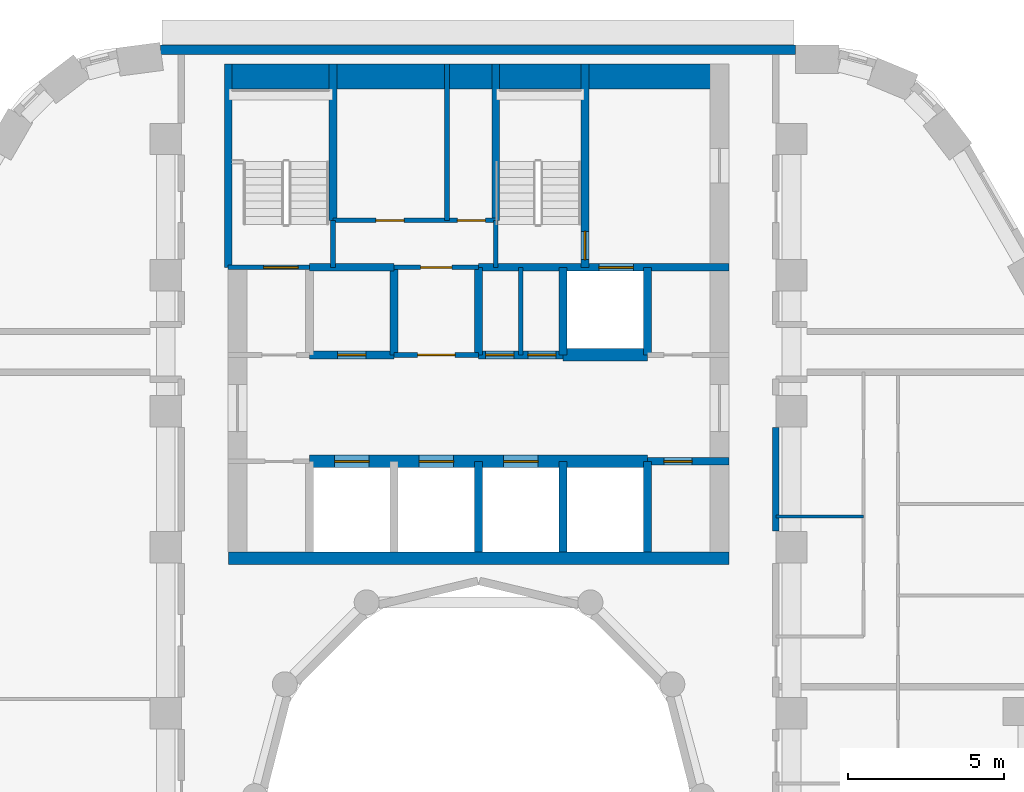
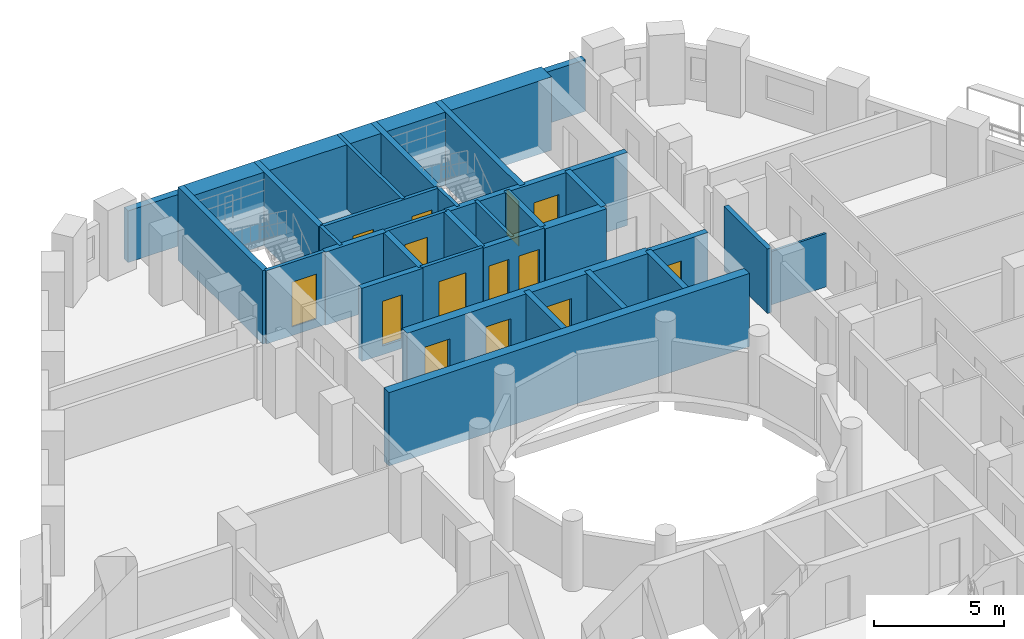
# One storey, part 7 of 13: 31 walls, 14 doors, 14 openings.
"""IFC4 building model written with IfcOpenShell, lengths in metres."""

from ifc_helpers import new_model, si_unit, direction, frame, frame_2d, origin, place, context, subcontext, project, spatial, rectangle, extrude, material, layer, layer_set, type_object, element, fill, save


model = new_model("IFC4")

# Units and contexts
model_context = context("Model", 3, precision=1e-05, world=origin(), true_north=direction((0.0, 1.0)))
body_context = subcontext(model_context, "Body", "Model", "MODEL_VIEW")
ifc_project = project(units=[si_unit("LENGTHUNIT", "METRE"), si_unit("AREAUNIT", "SQUARE_METRE"), si_unit("VOLUMEUNIT", "CUBIC_METRE"), si_unit("PLANEANGLEUNIT", "RADIAN"), si_unit("MASSUNIT", "GRAM", prefix="KILO")], contexts=[model_context])

# Site, building, storey
site_placement = place(None, origin())
site = spatial("IfcSite", under=ifc_project, at=site_placement, CompositionType="ELEMENT")
building_placement = place(site_placement, origin())
building = spatial("IfcBuilding", under=site, at=building_placement, Name="Nakaniwa Court", CompositionType="ELEMENT")
storey_placement = place(building_placement, frame((0.0, 0.0, 77.699951171875)))
storey = spatial("IfcBuildingStorey", under=building, at=storey_placement, Name="L19", CompositionType="ELEMENT", Elevation=77.699951171875)

# Walls
ifc_material_1 = material(Name="Acoustic double stud partition")
ifc_layer_1 = layer(ifc_material_1, 0.199951171875)
ifc_layer_set_1 = layer_set([ifc_layer_1], Name="Acoustic double stud partition")
wall_type_1 = type_object("IfcWallType", Name="Acoustic double stud partition 200", PredefinedType="PARTITIONING", material=ifc_layer_set_1)
wall_1_placement = place(storey_placement, frame((89.5, 88.467041015625, 0.0), z_axis=(0.0, 0.0, 1.0), x_axis=(0.0, 1.0, 0.0)))
element("IfcWall", 1, at=wall_1_placement, inside=storey, type_object=wall_type_1, Name="Partition PW-076", PredefinedType="PARTITIONING", context=body_context, shape_type="SweptSolid", body=[
    extrude(rectangle(XDim=3.31591796875, YDim=0.199951171875, at=frame_2d((1.657958984375, 0.0))), origin(), (0.0, 0.0, 1.0), 3.025146484375),
])
ifc_material_2 = material(Name="Charcoal ceramic cladding")
ifc_layer_2 = layer(ifc_material_2, 0.02, Name="Ceramic cladding")
ifc_material_3 = material(Name="Ventilated air cavity")
ifc_layer_3 = layer(ifc_material_3, 0.04, ventilated=True, Name="Ventilated cavity")
ifc_material_4 = material(Name="Mineral wool insulation")
ifc_layer_4 = layer(ifc_material_4, 0.1, Name="Insulation")
ifc_material_5 = material(Name="Cement bonded sheathing board")
ifc_layer_5 = layer(ifc_material_5, 0.012, Name="Sheathing")
ifc_material_6 = material(Name="Cold-formed galvanised stud frame with mineral wool infill")
ifc_layer_6 = layer(ifc_material_6, 0.1, Name="Stud frame")
ifc_material_7 = material(Name="Fire-rated gypsum plasterboard lining")
ifc_layer_7 = layer(ifc_material_7, 0.028, Name="Lining")
ifc_layer_set_2 = layer_set([ifc_layer_2, ifc_layer_3, ifc_layer_4, ifc_layer_5, ifc_layer_6, ifc_layer_7], Name="Charcoal ceramic faced external wall system")
wall_type_2 = type_object("IfcWallType", Name="Black ceramic faced external wall 300", PredefinedType="SOLIDWALL", material=ifc_layer_set_2)
wall_2_placement = place(storey_placement, frame((90.128662109375, 103.85009765625, 0.0), z_axis=(0.0, 0.0, 1.0), x_axis=(-1.0, 0.0, 0.0)))
element("IfcWall", 2, at=wall_2_placement, inside=storey, type_object=wall_type_2, Name="L19 external wall 08", PredefinedType="SOLIDWALL", context=body_context, shape_type="SweptSolid", body=[
    extrude(rectangle(XDim=20.290771484375, YDim=0.300048828125, at=frame_2d((10.1455078125, 0.0))), origin(), (0.0, 0.0, 1.0), 2.425048828125),
])

# Wall, opening, door
ifc_material_8 = material(Name="Blockwork partition", Category="masonry")
ifc_layer_8 = layer(ifc_material_8, 0.14990234375)
ifc_layer_set_3 = layer_set([ifc_layer_8], Name="Blockwork partition")
wall_type_3 = type_object("IfcWallType", Name="Blockwork partition 150", PredefinedType="PARTITIONING", material=ifc_layer_set_3)
wall_3_placement = place(storey_placement, frame((77.297119140625, 94.10009765625, 0.0), z_axis=(0.0, 0.0, 1.0), x_axis=(1.0, 0.0, 0.0)))
wall_3 = element("IfcWall", 3, at=wall_3_placement, inside=storey, type_object=wall_type_3, Name="Partition PW-017", PredefinedType="PARTITIONING", context=body_context, shape_type="SweptSolid", body=[
    extrude(rectangle(XDim=2.705810546875, YDim=0.14990234375, at=frame_2d((1.35302734375, 0.0))), origin(), (0.0, 0.0, 1.0), 3.025146484375),
])
opening_1_placement = place(wall_3_placement, frame((0.7529296875, 0.0, 0.0)))
opening_1 = element("IfcOpeningElement", 4, at=opening_1_placement, cuts=wall_3, Name="Opening D-06-01", PredefinedType="OPENING", context=body_context, shape_type="SweptSolid", body=[
    extrude(rectangle(XDim=1.199951171875, YDim=2.10009765625, at=frame_2d((0.60009765625, 1.050048828125))), frame((0.0, 0.0849609375, 0.0), z_axis=(0.0, -1.0, 0.0), x_axis=(1.0, 0.0, 0.0)), (0.0, 0.0, 1.0), 0.169921875),
])
ifc_material_9 = material(Name="Fire rated steel double door set", Category="steel")
door_type_1 = type_object("IfcDoorType", Name="Service passage double door 1200", OperationType="NOTDEFINED", PredefinedType="DOOR", material=ifc_material_9)
door_1_placement = place(opening_1_placement, origin())
door_1 = element("IfcDoor", 5, at=door_1_placement, inside=storey, type_object=door_type_1, Name="Door D-06-01 L19-005", OperationType="DOUBLE_DOOR_SINGLE_SWING", OverallHeight=2.10009765625, OverallWidth=1.199951171875, PredefinedType="DOOR", context=body_context, shape_type="SweptSolid", body=[
    extrude(rectangle(XDim=1.199951171875, YDim=2.10009765625, at=frame_2d((0.60009765625, 1.050048828125))), frame((0.0, 0.02490234375, 0.0), z_axis=(0.0, -1.0, 0.0), x_axis=(1.0, 0.0, 0.0)), (0.0, 0.0, 1.0), 0.050048828125),
])
fill(opening_1, door_1)

wall_4_placement = place(storey_placement, frame((77.300048828125, 96.89990234375, 0.0), z_axis=(0.0, 0.0, 1.0), x_axis=(1.0, 0.0, 0.0)))
wall_4 = element("IfcWall", 6, at=wall_4_placement, inside=storey, type_object=wall_type_3, Name="Partition PW-025", PredefinedType="PARTITIONING", context=body_context, shape_type="SweptSolid", body=[
    extrude(rectangle(XDim=2.699951171875, YDim=0.14990234375, at=frame_2d((1.35009765625, 0.0))), origin(), (0.0, 0.0, 1.0), 3.025146484375),
])
opening_2_placement = place(wall_4_placement, frame((0.85009765625, 0.0, 0.0)))
opening_2 = element("IfcOpeningElement", 7, at=opening_2_placement, cuts=wall_4, Name="Opening D-23-01", PredefinedType="OPENING", context=body_context, shape_type="SweptSolid", body=[
    extrude(rectangle(XDim=1.0, YDim=2.10009765625, at=frame_2d((0.5, 1.050048828125))), frame((0.0, 0.0849609375, 0.0), z_axis=(0.0, -1.0, 0.0), x_axis=(1.0, 0.0, 0.0)), (0.0, 0.0, 1.0), 0.169921875),
])
ifc_material_10 = material(Name="Fire rated steel door set", Category="steel")
door_type_2 = type_object("IfcDoorType", Name="Service room door 1000", OperationType="NOTDEFINED", PredefinedType="DOOR", material=ifc_material_10)
door_2_placement = place(opening_2_placement, origin())
door_2 = element("IfcDoor", 8, at=door_2_placement, inside=storey, type_object=door_type_2, Name="Door D-23-01 L19-009", OperationType="SINGLE_SWING_RIGHT", OverallHeight=2.10009765625, OverallWidth=1.0, PredefinedType="DOOR", context=body_context, shape_type="SweptSolid", body=[
    extrude(rectangle(XDim=1.0, YDim=2.10009765625, at=frame_2d((0.5, 1.050048828125))), frame((0.0, 0.02490234375, 0.0), z_axis=(0.0, -1.0, 0.0), x_axis=(1.0, 0.0, 0.0)), (0.0, 0.0, 1.0), 0.050048828125),
])
fill(opening_2, door_2)

# Wall
wall_5_placement = place(storey_placement, frame((81.35009765625, 94.10009765625, 0.0), z_axis=(0.0, 0.0, 1.0), x_axis=(0.0, 1.0, 0.0)))
element("IfcWall", 9, at=wall_5_placement, inside=storey, type_object=wall_type_3, Name="Partition PW-026", PredefinedType="PARTITIONING", context=body_context, shape_type="SweptSolid", body=[
    extrude(rectangle(XDim=2.7998046875, YDim=0.14990234375, at=frame_2d((1.39990234375, 0.0))), origin(), (0.0, 0.0, 1.0), 3.025146484375),
])

# Wall, openings, doors
wall_6_placement = place(storey_placement, frame((75.35009765625, 98.39990234375, 0.0), z_axis=(0.0, 0.0, 1.0), x_axis=(1.0, 0.0, 0.0)))
wall_6 = element("IfcWall", 10, at=wall_6_placement, inside=storey, type_object=wall_type_3, Name="Partition PW-033", PredefinedType="PARTITIONING", context=body_context, shape_type="SweptSolid", body=[
    extrude(rectangle(XDim=5.199951171875, YDim=0.14990234375, at=frame_2d((2.60009765625, 0.0))), origin(), (0.0, 0.0, 1.0), 3.025146484375),
])
opening_3_placement = place(wall_6_placement, frame((1.3701171875, 0.0, 0.0)))
opening_3 = element("IfcOpeningElement", 11, at=opening_3_placement, cuts=wall_6, Name="Opening D-05-07", PredefinedType="OPENING", context=body_context, shape_type="SweptSolid", body=[
    extrude(rectangle(XDim=0.89990234375, YDim=2.10009765625, at=frame_2d((0.449951171875, 1.050048828125))), frame((0.0, 0.0849609375, 0.0), z_axis=(0.0, -1.0, 0.0), x_axis=(1.0, 0.0, 0.0)), (0.0, 0.0, 1.0), 0.169921875),
])
opening_4_placement = place(wall_6_placement, frame((3.969970703125, 0.0, 0.0)))
opening_4 = element("IfcOpeningElement", 12, at=opening_4_placement, cuts=wall_6, Name="Opening D-05-08", PredefinedType="OPENING", context=body_context, shape_type="SweptSolid", body=[
    extrude(rectangle(XDim=0.89990234375, YDim=2.10009765625, at=frame_2d((0.449951171875, 1.050048828125))), frame((0.0, 0.0849609375, 0.0), z_axis=(0.0, -1.0, 0.0), x_axis=(1.0, 0.0, 0.0)), (0.0, 0.0, 1.0), 0.169921875),
])
door_type_3 = type_object("IfcDoorType", Name="Service room door 900", OperationType="NOTDEFINED", PredefinedType="DOOR", material=ifc_material_10)
door_3_placement = place(opening_3_placement, origin())
door_3 = element("IfcDoor", 13, at=door_3_placement, inside=storey, type_object=door_type_3, Name="Door D-05-07 L19-010", OperationType="SINGLE_SWING_LEFT", OverallHeight=2.10009765625, OverallWidth=0.89990234375, PredefinedType="DOOR", context=body_context, shape_type="SweptSolid", body=[
    extrude(rectangle(XDim=0.89990234375, YDim=2.10009765625, at=frame_2d((0.449951171875, 1.050048828125))), frame((0.0, 0.02490234375, 0.0), z_axis=(0.0, -1.0, 0.0), x_axis=(1.0, 0.0, 0.0)), (0.0, 0.0, 1.0), 0.050048828125),
])
fill(opening_3, door_3)
door_4_placement = place(opening_4_placement, origin())
door_4 = element("IfcDoor", 14, at=door_4_placement, inside=storey, type_object=door_type_3, Name="Door D-05-08 L19-011", OperationType="SINGLE_SWING_RIGHT", OverallHeight=2.10009765625, OverallWidth=0.89990234375, PredefinedType="DOOR", context=body_context, shape_type="SweptSolid", body=[
    extrude(rectangle(XDim=0.89990234375, YDim=2.10009765625, at=frame_2d((0.449951171875, 1.050048828125))), frame((0.0, 0.02490234375, 0.0), z_axis=(0.0, -1.0, 0.0), x_axis=(1.0, 0.0, 0.0)), (0.0, 0.0, 1.0), 0.050048828125),
])
fill(opening_4, door_4)

# Wall
wall_7_placement = place(storey_placement, frame((78.989990234375, 98.39990234375, 0.0), z_axis=(0.0, 0.0, 1.0), x_axis=(0.0, 1.0, 0.0)))
element("IfcWall", 15, at=wall_7_placement, inside=storey, type_object=wall_type_3, Name="Partition PW-034", PredefinedType="PARTITIONING", context=body_context, shape_type="SweptSolid", body=[
    extrude(rectangle(XDim=5.0, YDim=0.14990234375, at=frame_2d((2.5, 0.0))), origin(), (0.0, 0.0, 1.0), 3.025146484375),
])

# Wall, openings, doors
ifc_material_11 = material(Name="Concrete C80/100", Category="concrete")
ifc_layer_9 = layer(ifc_material_11, 0.39990234375)
ifc_layer_set_4 = layer_set([ifc_layer_9], Name="Concrete C80/100")
wall_type_4 = type_object("IfcWallType", Name="Concrete core spine wall 400 C80", PredefinedType="SHEAR", material=ifc_layer_set_4)
wall_8_placement = place(storey_placement, frame((74.60009765625, 90.699951171875, -0.409912109375), z_axis=(0.0, 0.0, 1.0), x_axis=(1.0, 0.0, 0.0)))
wall_8 = element("IfcWall", 16, at=wall_8_placement, inside=storey, type_object=wall_type_4, Name="Core wall SW-07", PredefinedType="SHEAR", context=body_context, shape_type="SweptSolid", body=[
    extrude(rectangle(XDim=10.7998046875, YDim=0.39990234375, at=frame_2d((5.39990234375, 0.0))), origin(), (0.0, 0.0, 1.0), 3.43505859375),
])
opening_5_placement = place(wall_8_placement, frame((0.800048828125, 0.0, 0.409912109375)))
opening_5 = element("IfcOpeningElement", 17, at=opening_5_placement, cuts=wall_8, Name="Opening LD01", PredefinedType="OPENING", context=body_context, shape_type="SweptSolid", body=[
    extrude(rectangle(XDim=1.10009765625, YDim=2.10009765625, at=frame_2d((0.550048828125, 1.050048828125))), frame((0.0, 0.2099609375, 0.0), z_axis=(0.0, -1.0, 0.0), x_axis=(1.0, 0.0, 0.0)), (0.0, 0.0, 1.0), 0.419921875),
])
opening_6_placement = place(wall_8_placement, frame((3.5, 0.0, 0.409912109375)))
opening_6 = element("IfcOpeningElement", 18, at=opening_6_placement, cuts=wall_8, Name="Opening LD02", PredefinedType="OPENING", context=body_context, shape_type="SweptSolid", body=[
    extrude(rectangle(XDim=1.10009765625, YDim=2.10009765625, at=frame_2d((0.550048828125, 1.050048828125))), frame((0.0, 0.2099609375, 0.0), z_axis=(0.0, -1.0, 0.0), x_axis=(1.0, 0.0, 0.0)), (0.0, 0.0, 1.0), 0.419921875),
])
opening_7_placement = place(wall_8_placement, frame((6.199951171875, 0.0, 0.409912109375)))
opening_7 = element("IfcOpeningElement", 19, at=opening_7_placement, cuts=wall_8, Name="Opening LD03", PredefinedType="OPENING", context=body_context, shape_type="SweptSolid", body=[
    extrude(rectangle(XDim=1.10009765625, YDim=2.10009765625, at=frame_2d((0.550048828125, 1.050048828125))), frame((0.0, 0.2099609375, 0.0), z_axis=(0.0, -1.0, 0.0), x_axis=(1.0, 0.0, 0.0)), (0.0, 0.0, 1.0), 0.419921875),
])
ifc_material_12 = material(Name="Stainless steel sliding lift landing door", Category="steel")
door_type_4 = type_object("IfcDoorType", Name="Lift landing door 1100", OperationType="NOTDEFINED", PredefinedType="DOOR", material=ifc_material_12)
door_5_placement = place(opening_5_placement, origin())
door_5 = element("IfcDoor", 20, at=door_5_placement, inside=storey, type_object=door_type_4, Name="Lift landing door LD01 L19-001", OperationType="SLIDING_TO_LEFT", OverallHeight=2.10009765625, OverallWidth=1.10009765625, PredefinedType="DOOR", context=body_context, shape_type="SweptSolid", body=[
    extrude(rectangle(XDim=1.10009765625, YDim=2.10009765625, at=frame_2d((0.550048828125, 1.050048828125))), frame((0.0, 0.02490234375, 0.0), z_axis=(0.0, -1.0, 0.0), x_axis=(1.0, 0.0, 0.0)), (0.0, 0.0, 1.0), 0.050048828125),
])
fill(opening_5, door_5)
door_6_placement = place(opening_6_placement, origin())
door_6 = element("IfcDoor", 21, at=door_6_placement, inside=storey, type_object=door_type_4, Name="Lift landing door LD02 L19-002", OperationType="SLIDING_TO_LEFT", OverallHeight=2.10009765625, OverallWidth=1.10009765625, PredefinedType="DOOR", context=body_context, shape_type="SweptSolid", body=[
    extrude(rectangle(XDim=1.10009765625, YDim=2.10009765625, at=frame_2d((0.550048828125, 1.050048828125))), frame((0.0, 0.02490234375, 0.0), z_axis=(0.0, -1.0, 0.0), x_axis=(1.0, 0.0, 0.0)), (0.0, 0.0, 1.0), 0.050048828125),
])
fill(opening_6, door_6)
door_7_placement = place(opening_7_placement, origin())
door_7 = element("IfcDoor", 22, at=door_7_placement, inside=storey, type_object=door_type_4, Name="Lift landing door LD03 L19-003", OperationType="SLIDING_TO_LEFT", OverallHeight=2.10009765625, OverallWidth=1.10009765625, PredefinedType="DOOR", context=body_context, shape_type="SweptSolid", body=[
    extrude(rectangle(XDim=1.10009765625, YDim=2.10009765625, at=frame_2d((0.550048828125, 1.050048828125))), frame((0.0, 0.02490234375, 0.0), z_axis=(0.0, -1.0, 0.0), x_axis=(1.0, 0.0, 0.0)), (0.0, 0.0, 1.0), 0.050048828125),
])
fill(opening_7, door_7)

# Wall
wall_9_placement = place(storey_placement, frame((82.697021484375, 94.10009765625, -0.409912109375), z_axis=(0.0, 0.0, 1.0), x_axis=(1.0, 0.0, 0.0)))
element("IfcWall", 23, at=wall_9_placement, inside=storey, type_object=wall_type_4, Name="Core wall SW-21", PredefinedType="SHEAR", context=body_context, shape_type="SweptSolid", body=[
    extrude(rectangle(XDim=2.7060546875, YDim=0.39990234375, at=frame_2d((1.35302734375, 0.0))), origin(), (0.0, 0.0, 1.0), 3.43505859375),
])

# Wall, opening, door
ifc_layer_10 = layer(ifc_material_11, 0.14990234375)
ifc_layer_set_5 = layer_set([ifc_layer_10], Name="Concrete C80/100")
wall_type_5 = type_object("IfcWallType", Name="Concrete core wall 150 C80", PredefinedType="SHEAR", material=ifc_layer_set_5)
wall_10_placement = place(storey_placement, frame((74.60009765625, 96.89990234375, -0.409912109375), z_axis=(0.0, 0.0, 1.0), x_axis=(-1.0, 0.0, 0.0)))
wall_10 = element("IfcWall", 24, at=wall_10_placement, inside=storey, type_object=wall_type_5, Name="Core wall SW-22", PredefinedType="SHEAR", context=body_context, shape_type="SweptSolid", body=[
    extrude(rectangle(XDim=2.60009765625, YDim=0.14990234375, at=frame_2d((1.300048828125, 0.0))), origin(), (0.0, 0.0, 1.0), 3.43505859375),
])
opening_8_placement = place(wall_10_placement, frame((0.3701171875, 0.0, 0.409912109375)))
opening_8 = element("IfcOpeningElement", 25, at=opening_8_placement, cuts=wall_10, Name="Opening D-09-01", PredefinedType="OPENING", context=body_context, shape_type="SweptSolid", body=[
    extrude(rectangle(XDim=1.10009765625, YDim=2.10009765625, at=frame_2d((0.550048828125, 1.050048828125))), frame((0.0, 0.0849609375, 0.0), z_axis=(0.0, -1.0, 0.0), x_axis=(1.0, 0.0, 0.0)), (0.0, 0.0, 1.0), 0.169921875),
])
door_type_5 = type_object("IfcDoorType", Name="Stair door 1100", OperationType="NOTDEFINED", PredefinedType="DOOR", material=ifc_material_10)
door_8_placement = place(opening_8_placement, origin())
door_8 = element("IfcDoor", 26, at=door_8_placement, inside=storey, type_object=door_type_5, Name="Door D-09-01 L19-012", OperationType="SINGLE_SWING_RIGHT", OverallHeight=2.10009765625, OverallWidth=1.10009765625, PredefinedType="DOOR", context=body_context, shape_type="SweptSolid", body=[
    extrude(rectangle(XDim=1.10009765625, YDim=2.10009765625, at=frame_2d((0.550048828125, 1.050048828125))), frame((0.0, 0.02490234375, 0.0), z_axis=(0.0, -1.0, 0.0), x_axis=(1.0, 0.0, 0.0)), (0.0, 0.0, 1.0), 0.050048828125),
])
fill(opening_8, door_8)

# Walls
for number, where, z_axis, x_axis, name in (
    (27, (75.35009765625, 96.89990234375, -0.409912109375), (0.0, 0.0, 1.0), (0.0, 1.0, 0.0), "Core wall SW-27"),
    (28, (80.550048828125, 96.89990234375, -0.409912109375), (0.0, 0.0, 1.0), (0.0, 1.0, 0.0), "Core wall SW-31"),
):
    element("IfcWall", number, at=place(storey_placement, frame(where, z_axis=z_axis, x_axis=x_axis)), inside=storey, type_object=wall_type_5, Name=name, PredefinedType="SHEAR", context=body_context, shape_type="SweptSolid", body=[
        extrude(rectangle(XDim=1.503173828125, YDim=0.14990234375, at=frame_2d((0.75146484375, 0.0))), origin(), (0.0, 0.0, 1.0), 3.43505859375),
    ])
ifc_layer_11 = layer(ifc_material_11, 0.25)
ifc_layer_set_6 = layer_set([ifc_layer_11], Name="Concrete C80/100")
wall_type_6 = type_object("IfcWallType", Name="Concrete core wall 250 C80", PredefinedType="SHEAR", material=ifc_layer_set_6)
wall_11_placement = place(storey_placement, frame((72.0, 96.89990234375, -0.409912109375), z_axis=(0.0, 0.0, 1.0), x_axis=(0.0, 1.0, 0.0)))
element("IfcWall", 29, at=wall_11_placement, inside=storey, type_object=wall_type_6, Name="Core wall SW-29", PredefinedType="SHEAR", context=body_context, shape_type="SweptSolid", body=[
    extrude(rectangle(XDim=6.5, YDim=0.25, at=frame_2d((3.25, 0.0))), origin(), (0.0, 0.0, 1.0), 3.43505859375),
])
ifc_layer_12 = layer(ifc_material_11, 0.800048828125)
ifc_layer_set_7 = layer_set([ifc_layer_12], Name="Concrete C80/100")
wall_type_7 = type_object("IfcWallType", Name="Concrete core wall 800 C80", PredefinedType="SHEAR", material=ifc_layer_set_7)
wall_12_placement = place(storey_placement, frame((72.00390625, 103.0, -0.409912109375), z_axis=(0.0, 0.0, 1.0), x_axis=(1.0, 0.0, 0.0)))
element("IfcWall", 30, at=wall_12_placement, inside=storey, type_object=wall_type_7, Name="Core wall SW-123", PredefinedType="SHEAR", context=body_context, shape_type="SweptSolid", body=[
    extrude(rectangle(XDim=15.9921875, YDim=0.800048828125, at=frame_2d((7.99609375, 0.0))), origin(), (0.0, 0.0, 1.0), 3.43505859375),
])
ifc_layer_13 = layer(ifc_material_11, 0.39990234375)
ifc_layer_set_8 = layer_set([ifc_layer_13], Name="Concrete C80/100")
wall_type_8 = type_object("IfcWallType", Name="Concrete core well wall 400 C80", PredefinedType="SHEAR", material=ifc_layer_set_8)
wall_13_placement = place(storey_placement, frame((72.00390625, 87.60009765625, -0.409912109375), z_axis=(0.0, 0.0, 1.0), x_axis=(1.0, 0.0, 0.0)))
element("IfcWall", 31, at=wall_13_placement, inside=storey, type_object=wall_type_8, Name="Core wall SW-122", PredefinedType="SHEAR", context=body_context, shape_type="SweptSolid", body=[
    extrude(rectangle(XDim=15.9921875, YDim=0.39990234375, at=frame_2d((7.99609375, 0.0))), origin(), (0.0, 0.0, 1.0), 3.43505859375),
])
ifc_layer_14 = layer(ifc_material_11, 0.25)
ifc_layer_set_9 = layer_set([ifc_layer_14], Name="Concrete C80/100")
wall_type_9 = type_object("IfcWallType", Name="Concrete shaft wall 250 C80", PredefinedType="SHEAR", material=ifc_layer_set_9)
wall_14_placement = place(storey_placement, frame((77.300048828125, 94.10009765625, -0.409912109375), z_axis=(0.0, 0.0, 1.0), x_axis=(0.0, 1.0, 0.0)))
element("IfcWall", 32, at=wall_14_placement, inside=storey, type_object=wall_type_9, Name="Core wall SW-06", PredefinedType="SHEAR", context=body_context, shape_type="SweptSolid", body=[
    extrude(rectangle(XDim=2.7998046875, YDim=0.25, at=frame_2d((1.39990234375, 0.0))), origin(), (0.0, 0.0, 1.0), 3.43505859375),
])
wall_15_placement = place(storey_placement, frame((80.0, 87.800048828125, -0.409912109375), z_axis=(0.0, 0.0, 1.0), x_axis=(0.0, 1.0, 0.0)))
element("IfcWall", 33, at=wall_15_placement, inside=storey, type_object=wall_type_9, Name="Core wall SW-08", PredefinedType="SHEAR", context=body_context, shape_type="SweptSolid", body=[
    extrude(rectangle(XDim=2.89990234375, YDim=0.25, at=frame_2d((1.449951171875, 0.0))), origin(), (0.0, 0.0, 1.0), 3.43505859375),
])
wall_16_placement = place(storey_placement, frame((80.0, 94.10009765625, -0.409912109375), z_axis=(0.0, 0.0, 1.0), x_axis=(0.0, 1.0, 0.0)))
element("IfcWall", 34, at=wall_16_placement, inside=storey, type_object=wall_type_9, Name="Core wall SW-09", PredefinedType="SHEAR", context=body_context, shape_type="SweptSolid", body=[
    extrude(rectangle(XDim=2.7998046875, YDim=0.25, at=frame_2d((1.39990234375, 0.0))), origin(), (0.0, 0.0, 1.0), 3.43505859375),
])
wall_17_placement = place(storey_placement, frame((82.699951171875, 87.800048828125, -0.409912109375), z_axis=(0.0, 0.0, 1.0), x_axis=(0.0, 1.0, 0.0)))
element("IfcWall", 35, at=wall_17_placement, inside=storey, type_object=wall_type_9, Name="Core wall SW-10", PredefinedType="SHEAR", context=body_context, shape_type="SweptSolid", body=[
    extrude(rectangle(XDim=2.89990234375, YDim=0.25, at=frame_2d((1.449951171875, 0.0))), origin(), (0.0, 0.0, 1.0), 3.43505859375),
])
wall_18_placement = place(storey_placement, frame((82.699951171875, 94.10009765625, -0.409912109375), z_axis=(0.0, 0.0, 1.0), x_axis=(0.0, 1.0, 0.0)))
element("IfcWall", 36, at=wall_18_placement, inside=storey, type_object=wall_type_9, Name="Core wall SW-11", PredefinedType="SHEAR", context=body_context, shape_type="SweptSolid", body=[
    extrude(rectangle(XDim=2.7998046875, YDim=0.25, at=frame_2d((1.39990234375, 0.0))), origin(), (0.0, 0.0, 1.0), 3.43505859375),
])
wall_19_placement = place(storey_placement, frame((85.39990234375, 87.800048828125, -0.409912109375), z_axis=(0.0, 0.0, 1.0), x_axis=(0.0, 1.0, 0.0)))
element("IfcWall", 37, at=wall_19_placement, inside=storey, type_object=wall_type_9, Name="Core wall SW-12", PredefinedType="SHEAR", context=body_context, shape_type="SweptSolid", body=[
    extrude(rectangle(XDim=2.89990234375, YDim=0.25, at=frame_2d((1.449951171875, 0.0))), origin(), (0.0, 0.0, 1.0), 3.43505859375),
])
wall_20_placement = place(storey_placement, frame((85.39990234375, 94.10009765625, -0.409912109375), z_axis=(0.0, 0.0, 1.0), x_axis=(0.0, 1.0, 0.0)))
element("IfcWall", 38, at=wall_20_placement, inside=storey, type_object=wall_type_9, Name="Core wall SW-13", PredefinedType="SHEAR", context=body_context, shape_type="SweptSolid", body=[
    extrude(rectangle(XDim=2.7998046875, YDim=0.25, at=frame_2d((1.39990234375, 0.0))), origin(), (0.0, 0.0, 1.0), 3.43505859375),
])

# Wall, opening, door
wall_21_placement = place(storey_placement, frame((88.0, 90.699951171875, -0.409912109375), z_axis=(0.0, 0.0, 1.0), x_axis=(-1.0, 0.0, 0.0)))
wall_21 = element("IfcWall", 39, at=wall_21_placement, inside=storey, type_object=wall_type_9, Name="Core wall SW-14", PredefinedType="SHEAR", context=body_context, shape_type="SweptSolid", body=[
    extrude(rectangle(XDim=2.60009765625, YDim=0.25, at=frame_2d((1.300048828125, 0.0))), origin(), (0.0, 0.0, 1.0), 3.43505859375),
])
opening_9_placement = place(wall_21_placement, frame((1.175048828125, 0.0, 0.409912109375)))
opening_9 = element("IfcOpeningElement", 40, at=opening_9_placement, cuts=wall_21, Name="Opening D-05-02", PredefinedType="OPENING", context=body_context, shape_type="SweptSolid", body=[
    extrude(rectangle(XDim=0.89990234375, YDim=2.10009765625, at=frame_2d((0.449951171875, 1.050048828125))), frame((0.0, 0.135009765625, 0.0), z_axis=(0.0, -1.0, 0.0), x_axis=(1.0, 0.0, 0.0)), (0.0, 0.0, 1.0), 0.27001953125),
])
door_9_placement = place(opening_9_placement, origin())
door_9 = element("IfcDoor", 41, at=door_9_placement, inside=storey, type_object=door_type_3, Name="Door D-05-02 L19-002", OperationType="SINGLE_SWING_LEFT", OverallHeight=2.10009765625, OverallWidth=0.89990234375, PredefinedType="DOOR", context=body_context, shape_type="SweptSolid", body=[
    extrude(rectangle(XDim=0.89990234375, YDim=2.10009765625, at=frame_2d((0.449951171875, 1.050048828125))), frame((0.0, 0.02490234375, 0.0), z_axis=(0.0, -1.0, 0.0), x_axis=(1.0, 0.0, 0.0)), (0.0, 0.0, 1.0), 0.050048828125),
])
fill(opening_9, door_9)

wall_22_placement = place(storey_placement, frame((74.596923828125, 94.10009765625, -0.409912109375), z_axis=(0.0, 0.0, 1.0), x_axis=(1.0, 0.0, 0.0)))
wall_22 = element("IfcWall", 42, at=wall_22_placement, inside=storey, type_object=wall_type_9, Name="Core wall SW-19", PredefinedType="SHEAR", context=body_context, shape_type="SweptSolid", body=[
    extrude(rectangle(XDim=2.7060546875, YDim=0.25, at=frame_2d((1.35302734375, 0.0))), origin(), (0.0, 0.0, 1.0), 3.43505859375),
])
opening_10_placement = place(wall_22_placement, frame((0.903076171875, 0.0, 0.409912109375)))
opening_10 = element("IfcOpeningElement", 43, at=opening_10_placement, cuts=wall_22, Name="Opening D-05-03", PredefinedType="OPENING", context=body_context, shape_type="SweptSolid", body=[
    extrude(rectangle(XDim=0.89990234375, YDim=2.10009765625, at=frame_2d((0.449951171875, 1.050048828125))), frame((0.0, 0.135009765625, 0.0), z_axis=(0.0, -1.0, 0.0), x_axis=(1.0, 0.0, 0.0)), (0.0, 0.0, 1.0), 0.27001953125),
])
door_10_placement = place(opening_10_placement, origin())
door_10 = element("IfcDoor", 44, at=door_10_placement, inside=storey, type_object=door_type_3, Name="Door D-05-03 L19-004", OperationType="SINGLE_SWING_LEFT", OverallHeight=2.10009765625, OverallWidth=0.89990234375, PredefinedType="DOOR", context=body_context, shape_type="SweptSolid", body=[
    extrude(rectangle(XDim=0.89990234375, YDim=2.10009765625, at=frame_2d((0.449951171875, 1.050048828125))), frame((0.0, 0.02490234375, 0.0), z_axis=(0.0, -1.0, 0.0), x_axis=(1.0, 0.0, 0.0)), (0.0, 0.0, 1.0), 0.050048828125),
])
fill(opening_10, door_10)

# Wall, openings, doors
wall_23_placement = place(storey_placement, frame((79.9970703125, 94.10009765625, -0.409912109375), z_axis=(0.0, 0.0, 1.0), x_axis=(1.0, 0.0, 0.0)))
wall_23 = element("IfcWall", 45, at=wall_23_placement, inside=storey, type_object=wall_type_9, Name="Core wall SW-20", PredefinedType="SHEAR", context=body_context, shape_type="SweptSolid", body=[
    extrude(rectangle(XDim=2.705810546875, YDim=0.25, at=frame_2d((1.35302734375, 0.0))), origin(), (0.0, 0.0, 1.0), 3.43505859375),
])
opening_11_placement = place(wall_23_placement, frame((0.22802734375, 0.0, 0.409912109375)))
opening_11 = element("IfcOpeningElement", 46, at=opening_11_placement, cuts=wall_23, Name="Opening D-05-04", PredefinedType="OPENING", context=body_context, shape_type="SweptSolid", body=[
    extrude(rectangle(XDim=0.89990234375, YDim=2.10009765625, at=frame_2d((0.449951171875, 1.050048828125))), frame((0.0, 0.135009765625, 0.0), z_axis=(0.0, -1.0, 0.0), x_axis=(1.0, 0.0, 0.0)), (0.0, 0.0, 1.0), 0.27001953125),
])
opening_12_placement = place(wall_23_placement, frame((1.577880859375, 0.0, 0.409912109375)))
opening_12 = element("IfcOpeningElement", 47, at=opening_12_placement, cuts=wall_23, Name="Opening D-05-05", PredefinedType="OPENING", context=body_context, shape_type="SweptSolid", body=[
    extrude(rectangle(XDim=0.89990234375, YDim=2.10009765625, at=frame_2d((0.449951171875, 1.050048828125))), frame((0.0, 0.135009765625, 0.0), z_axis=(0.0, -1.0, 0.0), x_axis=(1.0, 0.0, 0.0)), (0.0, 0.0, 1.0), 0.27001953125),
])
door_11_placement = place(opening_11_placement, origin())
door_11 = element("IfcDoor", 48, at=door_11_placement, inside=storey, type_object=door_type_3, Name="Door D-05-04 L19-006", OperationType="SINGLE_SWING_LEFT", OverallHeight=2.10009765625, OverallWidth=0.89990234375, PredefinedType="DOOR", context=body_context, shape_type="SweptSolid", body=[
    extrude(rectangle(XDim=0.89990234375, YDim=2.10009765625, at=frame_2d((0.449951171875, 1.050048828125))), frame((0.0, 0.02490234375, 0.0), z_axis=(0.0, -1.0, 0.0), x_axis=(1.0, 0.0, 0.0)), (0.0, 0.0, 1.0), 0.050048828125),
])
fill(opening_11, door_11)
door_12_placement = place(opening_12_placement, origin())
door_12 = element("IfcDoor", 49, at=door_12_placement, inside=storey, type_object=door_type_3, Name="Door D-05-05 L19-007", OperationType="SINGLE_SWING_RIGHT", OverallHeight=2.10009765625, OverallWidth=0.89990234375, PredefinedType="DOOR", context=body_context, shape_type="SweptSolid", body=[
    extrude(rectangle(XDim=0.89990234375, YDim=2.10009765625, at=frame_2d((0.449951171875, 1.050048828125))), frame((0.0, 0.02490234375, 0.0), z_axis=(0.0, -1.0, 0.0), x_axis=(1.0, 0.0, 0.0)), (0.0, 0.0, 1.0), 0.050048828125),
])
fill(opening_12, door_12)

# Wall
wall_24_placement = place(storey_placement, frame((74.60009765625, 96.89990234375, -0.409912109375), z_axis=(0.0, 0.0, 1.0), x_axis=(1.0, 0.0, 0.0)))
element("IfcWall", 50, at=wall_24_placement, inside=storey, type_object=wall_type_9, Name="Core wall SW-23", PredefinedType="SHEAR", context=body_context, shape_type="SweptSolid", body=[
    extrude(rectangle(XDim=2.699951171875, YDim=0.25, at=frame_2d((1.35009765625, 0.0))), origin(), (0.0, 0.0, 1.0), 3.43505859375),
])

# Wall, opening, door
wall_25_placement = place(storey_placement, frame((80.0, 96.89990234375, -0.409912109375), z_axis=(0.0, 0.0, 1.0), x_axis=(1.0, 0.0, 0.0)))
wall_25 = element("IfcWall", 51, at=wall_25_placement, inside=storey, type_object=wall_type_9, Name="Core wall SW-24", PredefinedType="SHEAR", context=body_context, shape_type="SweptSolid", body=[
    extrude(rectangle(XDim=8.0, YDim=0.25, at=frame_2d((4.0, 0.0))), origin(), (0.0, 0.0, 1.0), 3.43505859375),
])
opening_13_placement = place(wall_25_placement, frame((3.84912109375, 0.0, 0.409912109375)))
opening_13 = element("IfcOpeningElement", 52, at=opening_13_placement, cuts=wall_25, Name="Opening LD04", PredefinedType="OPENING", context=body_context, shape_type="SweptSolid", body=[
    extrude(rectangle(XDim=1.10009765625, YDim=2.10009765625, at=frame_2d((0.550048828125, 1.050048828125))), frame((0.0, 0.135009765625, 0.0), z_axis=(0.0, -1.0, 0.0), x_axis=(1.0, 0.0, 0.0)), (0.0, 0.0, 1.0), 0.27001953125),
])
door_13_placement = place(opening_13_placement, origin())
door_13 = element("IfcDoor", 53, at=door_13_placement, inside=storey, type_object=door_type_4, Name="Lift landing door LD04 L19-004", OperationType="SLIDING_TO_LEFT", OverallHeight=2.10009765625, OverallWidth=1.10009765625, PredefinedType="DOOR", context=body_context, shape_type="SweptSolid", body=[
    extrude(rectangle(XDim=1.10009765625, YDim=2.10009765625, at=frame_2d((0.550048828125, 1.050048828125))), frame((0.0, 0.02490234375, 0.0), z_axis=(0.0, -1.0, 0.0), x_axis=(1.0, 0.0, 0.0)), (0.0, 0.0, 1.0), 0.050048828125),
])
fill(opening_13, door_13)

# Wall
wall_26_placement = place(storey_placement, frame((75.35009765625, 98.39697265625, -0.409912109375), z_axis=(0.0, 0.0, 1.0), x_axis=(0.0, 1.0, 0.0)))
element("IfcWall", 54, at=wall_26_placement, inside=storey, type_object=wall_type_9, Name="Core wall SW-28", PredefinedType="SHEAR", context=body_context, shape_type="SweptSolid", body=[
    extrude(rectangle(XDim=5.0029296875, YDim=0.25, at=frame_2d((2.50146484375, 0.0))), origin(), (0.0, 0.0, 1.0), 3.43505859375),
])

# Wall, opening, door
wall_27_placement = place(storey_placement, frame((83.39990234375, 103.39990234375, -0.409912109375), z_axis=(0.0, 0.0, 1.0), x_axis=(0.0, -1.0, 0.0)))
wall_27 = element("IfcWall", 55, at=wall_27_placement, inside=storey, type_object=wall_type_9, Name="Core wall SW-30", PredefinedType="SHEAR", context=body_context, shape_type="SweptSolid", body=[
    extrude(rectangle(XDim=6.5, YDim=0.25, at=frame_2d((3.25, 0.0))), origin(), (0.0, 0.0, 1.0), 3.43505859375),
])
opening_14_placement = place(wall_27_placement, frame((5.35009765625, 0.0, 0.409912109375)))
opening_14 = element("IfcOpeningElement", 56, at=opening_14_placement, cuts=wall_27, Name="Opening D-11-01", PredefinedType="OPENING", context=body_context, shape_type="SweptSolid", body=[
    extrude(rectangle(XDim=0.89990234375, YDim=2.10009765625, at=frame_2d((0.449951171875, 1.050048828125))), frame((0.0, 0.135009765625, 0.0), z_axis=(0.0, -1.0, 0.0), x_axis=(1.0, 0.0, 0.0)), (0.0, 0.0, 1.0), 0.27001953125),
])
door_type_6 = type_object("IfcDoorType", Name="Stair door 900", OperationType="NOTDEFINED", PredefinedType="DOOR", material=ifc_material_10)
door_14_placement = place(opening_14_placement, origin())
door_14 = element("IfcDoor", 57, at=door_14_placement, inside=storey, type_object=door_type_6, Name="Door D-11-01 L19-013", OperationType="SINGLE_SWING_LEFT", OverallHeight=2.10009765625, OverallWidth=0.89990234375, PredefinedType="DOOR", context=body_context, shape_type="SweptSolid", body=[
    extrude(rectangle(XDim=0.89990234375, YDim=2.10009765625, at=frame_2d((0.449951171875, 1.050048828125))), frame((0.0, 0.02490234375, 0.0), z_axis=(0.0, -1.0, 0.0), x_axis=(1.0, 0.0, 0.0)), (0.0, 0.0, 1.0), 0.050048828125),
])
fill(opening_14, door_14)

# Walls
wall_28_placement = place(storey_placement, frame((80.550048828125, 98.39697265625, -0.409912109375), z_axis=(0.0, 0.0, 1.0), x_axis=(0.0, 1.0, 0.0)))
element("IfcWall", 58, at=wall_28_placement, inside=storey, type_object=wall_type_9, Name="Core wall SW-32", PredefinedType="SHEAR", context=body_context, shape_type="SweptSolid", body=[
    extrude(rectangle(XDim=5.0029296875, YDim=0.25, at=frame_2d((2.50146484375, 0.0))), origin(), (0.0, 0.0, 1.0), 3.43505859375),
])
ifc_material_13 = material(Name="Single stud plasterboard partition")
ifc_layer_15 = layer(ifc_material_13, 0.10009765625)
ifc_layer_set_10 = layer_set([ifc_layer_15], Name="Single stud plasterboard partition")
wall_type_10 = type_object("IfcWallType", Name="Single stud plasterboard partition 100", PredefinedType="PARTITIONING", material=ifc_layer_set_10)
wall_29_placement = place(storey_placement, frame((89.5, 88.94091796875, 0.0), z_axis=(0.0, 0.0, 1.0), x_axis=(1.0, 0.0, 0.0)))
element("IfcWall", 59, at=wall_29_placement, inside=storey, type_object=wall_type_10, Name="Partition PW-116", PredefinedType="PARTITIONING", context=body_context, shape_type="SweptSolid", body=[
    extrude(rectangle(XDim=2.800048828125, YDim=0.10009765625, at=frame_2d((1.39990234375, 0.0))), origin(), (0.0, 0.0, 1.0), 2.505126953125),
])

save(model, "model.ifc")
